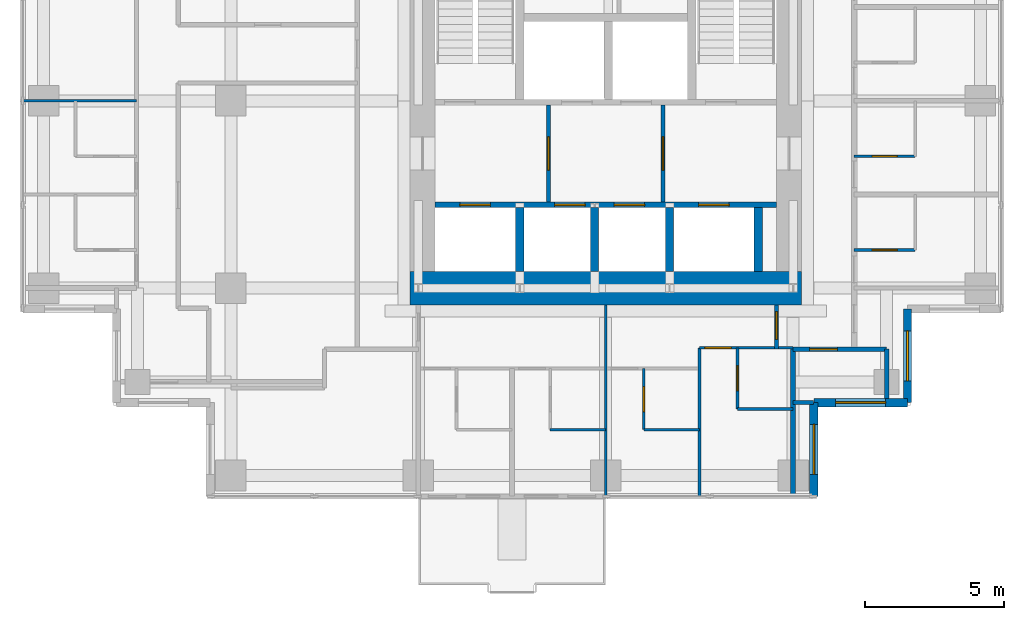
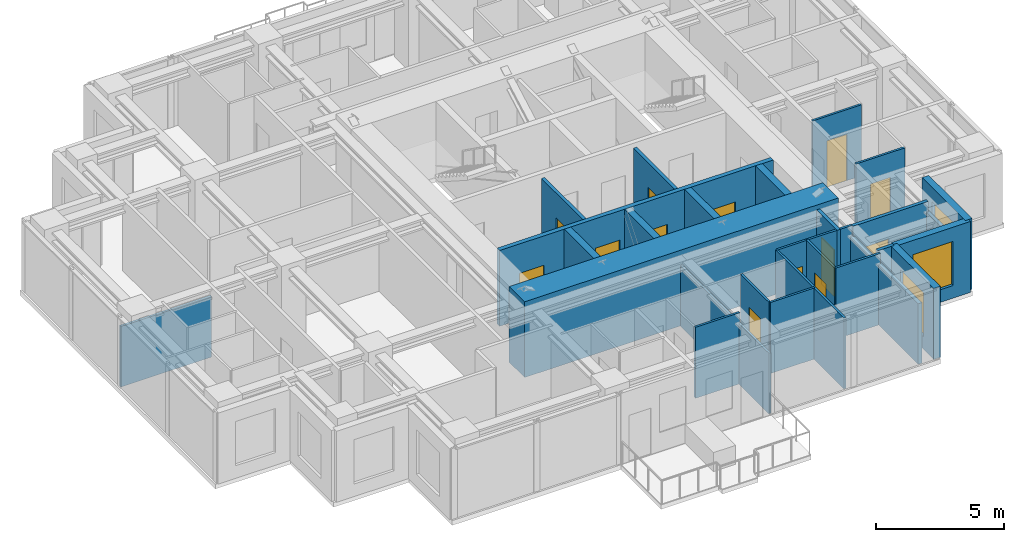
# One storey, part 4 of 8: 27 walls, 13 doors, 3 windows, 16 openings.
"""IFC4 building model written with IfcOpenShell, lengths in metres."""

import ifcopenshell
import ifcopenshell.guid

model = None  # the IFC model being written
_history = None  # IfcOwnerHistory: only IFC2X3 demands one
_inside = {}  # id of a spatial element -> (the spatial element, [elements in it])
_under = {}  # id of a project, library or spatial element -> (it, [spatial elements below it])
_declared = {}  # id of a project -> (the project, [libraries it declares])
_typed = {}  # id of a type object -> (the type object, [elements of that type])
_made_of = {}  # id of a material, layer set ... -> (it, [elements and type objects made of it])


def new_model(schema):
    """Start an empty IFC model of exactly this schema.

    Asked for "IFC4X3", IfcOpenShell would pick the latest addendum, in which some entities
    have other attributes; the version numbers below select the first issue.
    IFC2X3 requires an IfcOwnerHistory on every rooted entity: one is made here for all.
    """
    global model, _history
    if schema == "IFC4X3":
        model = ifcopenshell.file(schema_version=(4, 3, 0, 0))
    else:
        model = ifcopenshell.file(schema=schema)
    _inside.clear()
    _under.clear()
    _declared.clear()
    _typed.clear()
    _made_of.clear()
    _history = None
    if model.schema == "IFC2X3":
        org = make("IfcOrganization", Name="unknown")
        user = make(
            "IfcPersonAndOrganization",
            ThePerson=make("IfcPerson", FamilyName="unknown"),
            TheOrganization=org,
        )
        app = make(
            "IfcApplication",
            ApplicationDeveloper=org,
            Version="unknown",
            ApplicationFullName="unknown",
            ApplicationIdentifier="unknown",
        )
        _history = make(
            "IfcOwnerHistory",
            OwningUser=user,
            OwningApplication=app,
            ChangeAction="ADDED",
            CreationDate=0,
        )
    return model


def make(cls, **values):
    """One entity of the class cls with the attributes given. An attribute that is None is left unset."""
    return model.create_entity(
        cls, **{name: value for name, value in values.items() if value is not None}
    )


def rooted(cls, **values):
    """An entity with a GlobalId (a new one), such as an element, a storey or a relation."""
    return make(cls, GlobalId=ifcopenshell.guid.new(), OwnerHistory=_history, **values)


def si_unit(unit_type, name, prefix=None):
    """IfcSIUnit, for example si_unit("LENGTHUNIT", "METRE", prefix="MILLI")."""
    return make("IfcSIUnit", UnitType=unit_type, Prefix=prefix, Name=name)


def assignment(units):
    """IfcUnitAssignment: the units of a project."""
    return None if units is None else make("IfcUnitAssignment", Units=units)


def point(xyz):
    """IfcCartesianPoint."""
    return None if xyz is None else make("IfcCartesianPoint", Coordinates=xyz)


def direction(xyz):
    """IfcDirection."""
    return None if xyz is None else make("IfcDirection", DirectionRatios=xyz)


def frame(location, z_axis=None, x_axis=None):
    """IfcAxis2Placement3D, a coordinate frame: its origin and axes. An axis left out is left unset."""
    return make(
        "IfcAxis2Placement3D",
        Location=point(location),
        Axis=direction(z_axis),
        RefDirection=direction(x_axis),
    )


def frame_2d(location, x_axis=None):
    """IfcAxis2Placement2D, a coordinate frame in the plane: its origin and x axis."""
    return make(
        "IfcAxis2Placement2D", Location=point(location), RefDirection=direction(x_axis)
    )


def origin():
    """The frame at (0, 0, 0) with its axes left unset."""
    return frame((0.0, 0.0, 0.0))


def place(relative_to, where):
    """IfcLocalPlacement: puts the frame where relative to a parent placement (None: the world)."""
    return make(
        "IfcLocalPlacement", PlacementRelTo=relative_to, RelativePlacement=where
    )


def context(
    kind, dimensions, precision=None, world=None, true_north=None, identifier=None
):
    """IfcGeometricRepresentationContext, for example the 3D "Model" context."""
    return make(
        "IfcGeometricRepresentationContext",
        ContextIdentifier=identifier,
        ContextType=kind,
        CoordinateSpaceDimension=dimensions,
        Precision=precision,
        WorldCoordinateSystem=world,
        TrueNorth=true_north,
    )


def subcontext(parent, identifier, kind, view, scale=None):
    """IfcGeometricRepresentationSubContext, for example "Body" below "Model"."""
    return make(
        "IfcGeometricRepresentationSubContext",
        ContextIdentifier=identifier,
        ContextType=kind,
        ParentContext=parent,
        TargetScale=scale,
        TargetView=view,
    )


def project(units=None, contexts=None):
    """IfcProject with its units and contexts."""
    return rooted(
        "IfcProject",
        Name="project",
        RepresentationContexts=contexts,
        UnitsInContext=assignment(units),
    )


def spatial(cls, under=None, at=None, **own):
    """A site, building, storey or space (cls), placed at a placement, below another one or the project."""
    s = rooted(cls, ObjectPlacement=at, **own)
    if under is not None:
        _under.setdefault(under.id(), (under, []))[1].append(s)
    return s


def profile(cls, at=None, kind="AREA", **sizes):
    """A parametric profile (cls). Its sizes go by their IFC names, for example OverallWidth=200.0."""
    return make(cls, ProfileType=kind, Position=at, **sizes)


def rectangle(**sizes):
    """IfcRectangleProfileDef."""
    return profile("IfcRectangleProfileDef", **sizes)


def extrude(swept, where, along, depth):
    """IfcExtrudedAreaSolid: the profile swept, set in the frame where, extruded along a direction by depth."""
    return make(
        "IfcExtrudedAreaSolid",
        SweptArea=swept,
        Position=where,
        ExtrudedDirection=direction(along),
        Depth=depth,
    )


def shape(context_of_items, identifier, shape_type, items):
    """IfcShapeRepresentation: the items that make up one representation, for example the "Body"."""
    return make(
        "IfcShapeRepresentation",
        ContextOfItems=context_of_items,
        RepresentationIdentifier=identifier,
        RepresentationType=shape_type,
        Items=items,
    )


def material(Name=None, Category=None):
    """IfcMaterial."""
    return make("IfcMaterial", Name=Name, Category=Category)


def layer(
    of_material, thickness, ventilated=None, Name=None, Category=None, Priority=None
):
    """IfcMaterialLayer: one layer of a wall or slab, of a material (None: an air gap)."""
    return make(
        "IfcMaterialLayer",
        Material=of_material,
        LayerThickness=thickness,
        IsVentilated=ventilated,
        Name=Name,
        Category=Category,
        Priority=Priority,
    )


def layer_set(layers, Name=None):
    """IfcMaterialLayerSet."""
    return make("IfcMaterialLayerSet", MaterialLayers=layers, LayerSetName=Name)


def made_of(thing, what):
    """Note that an element or type object is made of a material, layer set ...; save() writes the relation."""
    if what is not None:
        _made_of.setdefault(what.id(), (what, []))[1].append(thing)
    return thing


def type_object(cls, material=None, **own):
    """A type object (cls), such as IfcWallType, which elements share."""
    return made_of(rooted(cls, **own), material)


def element(
    cls,
    number,
    at=None,
    inside=None,
    cuts=None,
    type_object=None,
    material=None,
    context=None,
    identifier="Body",
    shape_type=None,
    held_by="IfcProductDefinitionShape",
    body=None,
    shapes=None,
    **own,
):
    """One element of the class cls, such as IfcWall. Its Tag is "e" and its number.

    at: its placement. inside: the storey or other place that contains it. cuts: it is an
    opening in that element (IfcRelVoidsElement). A single representation is given by context,
    identifier, shape_type and body (its items); several are given by shapes. held_by: the class
    of the entity that holds the representations. save() writes the other relations.
    """
    e = rooted(cls, Tag="e%d" % number, ObjectPlacement=at, **own)
    if body is not None:
        shapes = [shape(context, identifier, shape_type, body)]
    if shapes is not None:
        e.Representation = make(held_by, Representations=shapes)
    if inside is not None:
        _inside.setdefault(inside.id(), (inside, []))[1].append(e)
    if cuts is not None:
        rooted(
            "IfcRelVoidsElement", RelatingBuildingElement=cuts, RelatedOpeningElement=e
        )
    if type_object is not None:
        _typed.setdefault(type_object.id(), (type_object, []))[1].append(e)
    return made_of(e, material)


def fill(opening, filler):
    """IfcRelFillsElement: the door or window that sits in an opening."""
    return rooted(
        "IfcRelFillsElement",
        RelatingOpeningElement=opening,
        RelatedBuildingElement=filler,
    )


def aggregate(whole, parts):
    """IfcRelAggregates: a whole, such as a stair, and the parts it consists of."""
    return rooted("IfcRelAggregates", RelatingObject=whole, RelatedObjects=parts)


def save(model, path):
    """Write the relations noted so far, then the file.

    IfcRelAggregates (storeys below a building ...), IfcRelContainedInSpatialStructure (elements
    in a storey), IfcRelDefinesByType, IfcRelAssociatesMaterial and IfcRelDeclares: one each for
    every whole, place, type object, material and project.
    """
    for whole, parts in _under.values():
        aggregate(whole, parts)
    for where, things in _inside.values():
        rooted(
            "IfcRelContainedInSpatialStructure",
            RelatedElements=things,
            RelatingStructure=where,
        )
    for kind, things in _typed.values():
        rooted("IfcRelDefinesByType", RelatedObjects=things, RelatingType=kind)
    for what, things in _made_of.values():
        rooted("IfcRelAssociatesMaterial", RelatedObjects=things, RelatingMaterial=what)
    for by, libraries in _declared.values():
        rooted("IfcRelDeclares", RelatingContext=by, RelatedDefinitions=libraries)
    model.write(path)


model = new_model("IFC4")

# Units and contexts
model_context = context("Model", 3, precision=1e-05, world=origin(), true_north=direction((0.0, 1.0)))
body_context = subcontext(model_context, "Body", "Model", "MODEL_VIEW")
ifc_project = project(units=[si_unit("LENGTHUNIT", "METRE"), si_unit("AREAUNIT", "SQUARE_METRE"), si_unit("VOLUMEUNIT", "CUBIC_METRE"), si_unit("PLANEANGLEUNIT", "RADIAN"), si_unit("MASSUNIT", "GRAM", prefix="KILO")], contexts=[model_context])

# Site, building, storey
site_placement = place(None, origin())
site = spatial("IfcSite", under=ifc_project, at=site_placement, CompositionType="ELEMENT")
building_placement = place(site_placement, origin())
building = spatial("IfcBuilding", under=site, at=building_placement, Name="Nyansa Garden Tower", CompositionType="ELEMENT")
storey_placement = place(building_placement, frame((0.0, 0.0, 225.89990234375)))
storey = spatial("IfcBuildingStorey", under=building, at=storey_placement, Name="L61", CompositionType="ELEMENT", Elevation=225.89990234375)

# Wall
ifc_material_1 = material(Name="Dense blockwork, plastered both sides, 55 dB", Category="masonry")
ifc_layer_1 = layer(ifc_material_1, 0.175048828125)
ifc_layer_set_1 = layer_set([ifc_layer_1], Name="Acoustic party wall PW175")
wall_type_1 = type_object("IfcWallType", Name="Acoustic party wall PW175", PredefinedType="PARTITIONING", material=ifc_layer_set_1)
wall_1_placement = place(storey_placement, frame((27.0, 6.01611328125, 0.0), z_axis=(0.0, 0.0, 1.0), x_axis=(0.0, 1.0, 0.0)))
element("IfcWall", 1, at=wall_1_placement, inside=storey, type_object=wall_type_1, Name="Party wall", PredefinedType="PARTITIONING", context=body_context, shape_type="SweptSolid", body=[
    extrude(rectangle(XDim=5.333984375, YDim=0.175048828125, at=frame_2d((2.6669921875, 0.0))), origin(), (0.0, 0.0, 1.0), 2.877197265625),
])

# Wall, openings, doors
ifc_material_2 = material(Name="Concrete C70/85", Category="concrete")
ifc_layer_2 = layer(ifc_material_2, 0.199951171875)
ifc_layer_set_2 = layer_set([ifc_layer_2], Name="Core inner wall CI200")
wall_type_2 = type_object("IfcWallType", Name="Core inner wall CI200", PredefinedType="SHEAR", material=ifc_layer_set_2)
wall_2_placement = place(storey_placement, frame((14.10009765625, 16.5, 0.0), z_axis=(0.0, 0.0, 1.0), x_axis=(1.0, 0.0, 0.0)))
wall_2 = element("IfcWall", 2, at=wall_2_placement, inside=storey, type_object=wall_type_2, Name="Core inner wall L61", PredefinedType="SHEAR", context=body_context, shape_type="SweptSolid", body=[
    extrude(rectangle(XDim=12.2998046875, YDim=0.199951171875, at=frame_2d((6.14990234375, 0.0))), origin(), (0.0, 0.0, 1.0), 3.60009765625),
])
opening_1_placement = place(wall_2_placement, frame((0.89990234375, 0.0, 0.0)))
opening_1 = element("IfcOpeningElement", 3, at=opening_1_placement, cuts=wall_2, Name="Opening LD-F", PredefinedType="OPENING", context=body_context, shape_type="SweptSolid", body=[
    extrude(rectangle(XDim=1.10009765625, YDim=2.199951171875, at=frame_2d((0.550048828125, 1.10009765625))), frame((0.0, 0.10986328125, 0.0), z_axis=(0.0, -1.0, 0.0), x_axis=(1.0, 0.0, 0.0)), (0.0, 0.0, 1.0), 0.219970703125),
])
opening_2_placement = place(wall_2_placement, frame((4.31005859375, 0.0, 0.0)))
opening_2 = element("IfcOpeningElement", 4, at=opening_2_placement, cuts=wall_2, Name="Opening LD-B", PredefinedType="OPENING", context=body_context, shape_type="SweptSolid", body=[
    extrude(rectangle(XDim=1.10009765625, YDim=2.199951171875, at=frame_2d((0.550048828125, 1.10009765625))), frame((0.0, 0.10986328125, 0.0), z_axis=(0.0, -1.0, 0.0), x_axis=(1.0, 0.0, 0.0)), (0.0, 0.0, 1.0), 0.219970703125),
])
opening_3_placement = place(wall_2_placement, frame((6.449951171875, 0.0, 0.0)))
opening_3 = element("IfcOpeningElement", 5, at=opening_3_placement, cuts=wall_2, Name="Opening LD-B", PredefinedType="OPENING", context=body_context, shape_type="SweptSolid", body=[
    extrude(rectangle(XDim=1.10009765625, YDim=2.199951171875, at=frame_2d((0.550048828125, 1.10009765625))), frame((0.0, 0.10986328125, 0.0), z_axis=(0.0, -1.0, 0.0), x_axis=(1.0, 0.0, 0.0)), (0.0, 0.0, 1.0), 0.219970703125),
])
opening_4_placement = place(wall_2_placement, frame((9.5, 0.0, 0.0)))
opening_4 = element("IfcOpeningElement", 6, at=opening_4_placement, cuts=wall_2, Name="Opening LD-F", PredefinedType="OPENING", context=body_context, shape_type="SweptSolid", body=[
    extrude(rectangle(XDim=1.10009765625, YDim=2.199951171875, at=frame_2d((0.550048828125, 1.10009765625))), frame((0.0, 0.10986328125, 0.0), z_axis=(0.0, -1.0, 0.0), x_axis=(1.0, 0.0, 0.0)), (0.0, 0.0, 1.0), 0.219970703125),
])
ifc_material_3 = material(Name="Stainless steel centre-opening landing door of the high-rise lift, E 120", Category="steel")
door_type_1 = type_object("IfcDoorType", Name="Lift landing door LD-B 1100x2200", OperationType="DOUBLE_DOOR_SLIDING", PredefinedType="DOOR", material=ifc_material_3)
door_1_placement = place(opening_2_placement, origin())
door_1 = element("IfcDoor", 7, at=door_1_placement, inside=storey, type_object=door_type_1, Name="Landing door B1", OperationType="DOUBLE_DOOR_SLIDING", OverallHeight=2.199951171875, OverallWidth=1.10009765625, PredefinedType="DOOR", context=body_context, shape_type="SweptSolid", body=[
    extrude(rectangle(XDim=1.10009765625, YDim=2.199951171875, at=frame_2d((0.550048828125, 1.10009765625))), frame((0.0, 0.02490234375, 0.0), z_axis=(0.0, -1.0, 0.0), x_axis=(1.0, 0.0, 0.0)), (0.0, 0.0, 1.0), 0.050048828125),
])
fill(opening_2, door_1)
door_2_placement = place(opening_3_placement, origin())
door_2 = element("IfcDoor", 8, at=door_2_placement, inside=storey, type_object=door_type_1, Name="Landing door B2", OperationType="DOUBLE_DOOR_SLIDING", OverallHeight=2.199951171875, OverallWidth=1.10009765625, PredefinedType="DOOR", context=body_context, shape_type="SweptSolid", body=[
    extrude(rectangle(XDim=1.10009765625, YDim=2.199951171875, at=frame_2d((0.550048828125, 1.10009765625))), frame((0.0, 0.02490234375, 0.0), z_axis=(0.0, -1.0, 0.0), x_axis=(1.0, 0.0, 0.0)), (0.0, 0.0, 1.0), 0.050048828125),
])
fill(opening_3, door_2)
ifc_material_4 = material(Name="Stainless steel centre-opening landing door of the firefighting lift, EN 81-72, E 120", Category="steel")
door_type_2 = type_object("IfcDoorType", Name="Lift landing door LD-F 1100x2200", OperationType="DOUBLE_DOOR_SLIDING", PredefinedType="DOOR", material=ifc_material_4)
door_3_placement = place(opening_1_placement, origin())
door_3 = element("IfcDoor", 9, at=door_3_placement, inside=storey, type_object=door_type_2, Name="Landing door FF1", OperationType="DOUBLE_DOOR_SLIDING", OverallHeight=2.199951171875, OverallWidth=1.10009765625, PredefinedType="DOOR", context=body_context, shape_type="SweptSolid", body=[
    extrude(rectangle(XDim=1.10009765625, YDim=2.199951171875, at=frame_2d((0.550048828125, 1.10009765625))), frame((0.0, 0.02490234375, 0.0), z_axis=(0.0, -1.0, 0.0), x_axis=(1.0, 0.0, 0.0)), (0.0, 0.0, 1.0), 0.050048828125),
])
fill(opening_1, door_3)
door_4_placement = place(opening_4_placement, origin())
door_4 = element("IfcDoor", 10, at=door_4_placement, inside=storey, type_object=door_type_2, Name="Landing door FF2", OperationType="DOUBLE_DOOR_SLIDING", OverallHeight=2.199951171875, OverallWidth=1.10009765625, PredefinedType="DOOR", context=body_context, shape_type="SweptSolid", body=[
    extrude(rectangle(XDim=1.10009765625, YDim=2.199951171875, at=frame_2d((0.550048828125, 1.10009765625))), frame((0.0, 0.02490234375, 0.0), z_axis=(0.0, -1.0, 0.0), x_axis=(1.0, 0.0, 0.0)), (0.0, 0.0, 1.0), 0.050048828125),
])
fill(opening_4, door_4)

# Walls
ifc_material_5 = material(Name="Concrete C70/85", Category="concrete")
ifc_layer_3 = layer(ifc_material_5, 0.300048828125)
ifc_layer_set_3 = layer_set([ifc_layer_3], Name="Core inner wall CI300")
wall_type_3 = type_object("IfcWallType", Name="Core inner wall CI300", PredefinedType="SHEAR", material=ifc_layer_set_3)
for number, where, z_axis, x_axis, name in (
    (11, (17.14990234375, 14.10009765625, 0.0), (0.0, 0.0, 1.0), (0.0, 1.0, 0.0), "Core inner wall L61"),
    (12, (19.85009765625, 14.10009765625, 0.0), (0.0, 0.0, 1.0), (0.0, 1.0, 0.0), "Core inner wall L61"),
    (13, (22.550048828125, 14.10009765625, 0.0), (0.0, 0.0, 1.0), (0.0, 1.0, 0.0), "Core inner wall L61"),
    (14, (25.75, 14.10009765625, 0.0), (0.0, 0.0, 1.0), (0.0, 1.0, 0.0), "Core inner wall L61"),
):
    element("IfcWall", number, at=place(storey_placement, frame(where, z_axis=z_axis, x_axis=x_axis)), inside=storey, type_object=wall_type_3, Name=name, PredefinedType="SHEAR", context=body_context, shape_type="SweptSolid", body=[
        extrude(rectangle(XDim=2.2998046875, YDim=0.300048828125, at=frame_2d((1.14990234375, 0.0))), origin(), (0.0, 0.0, 1.0), 3.60009765625),
    ])
ifc_material_6 = material(Name="Concrete C80/95", Category="concrete")
ifc_layer_4 = layer(ifc_material_6, 1.199951171875)
ifc_layer_set_4 = layer_set([ifc_layer_4], Name="Core wall CW1200")
wall_type_4 = type_object("IfcWallType", Name="Core wall CW1200", PredefinedType="SHEAR", material=ifc_layer_set_4)
wall_3_placement = place(storey_placement, frame((13.199951171875, 13.5, 0.0), z_axis=(0.0, 0.0, 1.0), x_axis=(1.0, 0.0, 0.0)))
element("IfcWall", 15, at=wall_3_placement, inside=storey, type_object=wall_type_4, Name="Core wall S L61", PredefinedType="SHEAR", context=body_context, shape_type="SweptSolid", body=[
    extrude(rectangle(XDim=14.10009765625, YDim=1.199951171875, at=frame_2d((7.050048828125, 0.0))), origin(), (0.0, 0.0, 1.0), 3.60009765625),
])

# Wall, opening, door
ifc_material_7 = material(Name="Blockwork, plastered both sides", Category="masonry")
ifc_layer_5 = layer(ifc_material_7, 0.14990234375)
ifc_layer_set_5 = layer_set([ifc_layer_5], Name="Partition PW150")
wall_type_5 = type_object("IfcWallType", Name="Partition PW150", PredefinedType="PARTITIONING", material=ifc_layer_set_5)
wall_4_placement = place(storey_placement, frame((18.18505859375, 16.60009765625, 0.0), z_axis=(0.0, 0.0, 1.0), x_axis=(0.0, 1.0, 0.0)))
wall_4 = element("IfcWall", 16, at=wall_4_placement, inside=storey, type_object=wall_type_5, Name="Partition", PredefinedType="PARTITIONING", context=body_context, shape_type="SweptSolid", body=[
    extrude(rectangle(XDim=3.5, YDim=0.14990234375, at=frame_2d((1.75, 0.0))), origin(), (0.0, 0.0, 1.0), 3.375),
])
opening_5_placement = place(wall_4_placement, frame((1.14990234375, 0.0, 0.0)))
opening_5 = element("IfcOpeningElement", 17, at=opening_5_placement, cuts=wall_4, Name="Opening D06", PredefinedType="OPENING", context=body_context, shape_type="SweptSolid", body=[
    extrude(rectangle(XDim=1.199951171875, YDim=2.199951171875, at=frame_2d((0.60009765625, 1.10009765625))), frame((0.0, 0.0849609375, 0.0), z_axis=(0.0, -1.0, 0.0), x_axis=(1.0, 0.0, 0.0)), (0.0, 0.0, 1.0), 0.169921875),
])
ifc_material_8 = material(Name="Steel door, 120 minute fire resisting", Category="steel")
door_type_3 = type_object("IfcDoorType", Name="Lobby door D06 1200x2200", OperationType="DOUBLE_DOOR_SINGLE_SWING", PredefinedType="DOOR", material=ifc_material_8)
door_5_placement = place(opening_5_placement, origin())
door_5 = element("IfcDoor", 18, at=door_5_placement, inside=storey, type_object=door_type_3, Name="Passenger lift lobby door", OperationType="DOUBLE_DOOR_SINGLE_SWING", OverallHeight=2.199951171875, OverallWidth=1.199951171875, PredefinedType="DOOR", context=body_context, shape_type="SweptSolid", body=[
    extrude(rectangle(XDim=1.199951171875, YDim=2.199951171875, at=frame_2d((0.60009765625, 1.10009765625))), frame((0.0, 0.02490234375, 0.0), z_axis=(0.0, -1.0, 0.0), x_axis=(1.0, 0.0, 0.0)), (0.0, 0.0, 1.0), 0.050048828125),
])
fill(opening_5, door_5)

wall_5_placement = place(storey_placement, frame((22.31494140625, 16.60009765625, 0.0), z_axis=(0.0, 0.0, 1.0), x_axis=(0.0, 1.0, 0.0)))
wall_5 = element("IfcWall", 19, at=wall_5_placement, inside=storey, type_object=wall_type_5, Name="Partition", PredefinedType="PARTITIONING", context=body_context, shape_type="SweptSolid", body=[
    extrude(rectangle(XDim=3.5, YDim=0.14990234375, at=frame_2d((1.75, 0.0))), origin(), (0.0, 0.0, 1.0), 3.375),
])
opening_6_placement = place(wall_5_placement, frame((1.14990234375, 0.0, 0.0)))
opening_6 = element("IfcOpeningElement", 20, at=opening_6_placement, cuts=wall_5, Name="Opening D06", PredefinedType="OPENING", context=body_context, shape_type="SweptSolid", body=[
    extrude(rectangle(XDim=1.199951171875, YDim=2.199951171875, at=frame_2d((0.60009765625, 1.10009765625))), frame((0.0, 0.0849609375, 0.0), z_axis=(0.0, -1.0, 0.0), x_axis=(1.0, 0.0, 0.0)), (0.0, 0.0, 1.0), 0.169921875),
])
door_6_placement = place(opening_6_placement, origin())
door_6 = element("IfcDoor", 21, at=door_6_placement, inside=storey, type_object=door_type_3, Name="Passenger lift lobby door", OperationType="DOUBLE_DOOR_SINGLE_SWING", OverallHeight=2.199951171875, OverallWidth=1.199951171875, PredefinedType="DOOR", context=body_context, shape_type="SweptSolid", body=[
    extrude(rectangle(XDim=1.199951171875, YDim=2.199951171875, at=frame_2d((0.60009765625, 1.10009765625))), frame((0.0, 0.02490234375, 0.0), z_axis=(0.0, -1.0, 0.0), x_axis=(1.0, 0.0, 0.0)), (0.0, 0.0, 1.0), 0.050048828125),
])
fill(opening_6, door_6)

wall_6_placement = place(storey_placement, frame((26.39990234375, 11.300048828125, 0.0), z_axis=(0.0, 0.0, 1.0), x_axis=(0.0, 1.0, 0.0)))
wall_6 = element("IfcWall", 22, at=wall_6_placement, inside=storey, type_object=wall_type_5, Name="Partition", PredefinedType="PARTITIONING", context=body_context, shape_type="SweptSolid", body=[
    extrude(rectangle(XDim=1.599853515625, YDim=0.14990234375, at=frame_2d((0.7998046875, 0.0))), origin(), (0.0, 0.0, 1.0), 3.375),
])
opening_7_placement = place(wall_6_placement, frame((0.35009765625, 0.0, 0.0)))
opening_7 = element("IfcOpeningElement", 23, at=opening_7_placement, cuts=wall_6, Name="Opening D03", PredefinedType="OPENING", context=body_context, shape_type="SweptSolid", body=[
    extrude(rectangle(XDim=1.0, YDim=2.199951171875, at=frame_2d((0.5, 1.10009765625))), frame((0.0, 0.0849609375, 0.0), z_axis=(0.0, -1.0, 0.0), x_axis=(1.0, 0.0, 0.0)), (0.0, 0.0, 1.0), 0.169921875),
])
ifc_material_9 = material(Name="Timber flush door, 60 minute fire resisting", Category="wood")
door_type_4 = type_object("IfcDoorType", Name="Cluster entrance door D03 1000x2200", OperationType="SINGLE_SWING_LEFT", PredefinedType="DOOR", material=ifc_material_9)
door_7_placement = place(opening_7_placement, origin())
door_7 = element("IfcDoor", 24, at=door_7_placement, inside=storey, type_object=door_type_4, Name="Door L61-028", OperationType="SINGLE_SWING_LEFT", OverallHeight=2.199951171875, OverallWidth=1.0, PredefinedType="DOOR", context=body_context, shape_type="SweptSolid", body=[
    extrude(rectangle(XDim=1.0, YDim=2.199951171875, at=frame_2d((0.5, 1.10009765625))), frame((0.0, 0.02490234375, 0.0), z_axis=(0.0, -1.0, 0.0), x_axis=(1.0, 0.0, 0.0)), (0.0, 0.0, 1.0), 0.050048828125),
])
fill(opening_7, door_7)

wall_7_placement = place(storey_placement, frame((27.0, 11.300048828125, 0.0), z_axis=(0.0, 0.0, 1.0), x_axis=(1.0, 0.0, 0.0)))
wall_7 = element("IfcWall", 25, at=wall_7_placement, inside=storey, type_object=wall_type_5, Name="Partition", PredefinedType="PARTITIONING", context=body_context, shape_type="SweptSolid", body=[
    extrude(rectangle(XDim=3.375, YDim=0.14990234375, at=frame_2d((1.6875, 0.0))), origin(), (0.0, 0.0, 1.0), 3.375),
])
opening_8_placement = place(wall_7_placement, frame((0.60009765625, 0.0, 0.0)))
opening_8 = element("IfcOpeningElement", 26, at=opening_8_placement, cuts=wall_7, Name="Opening D03", PredefinedType="OPENING", context=body_context, shape_type="SweptSolid", body=[
    extrude(rectangle(XDim=1.0, YDim=2.199951171875, at=frame_2d((0.5, 1.10009765625))), frame((0.0, 0.0849609375, 0.0), z_axis=(0.0, -1.0, 0.0), x_axis=(1.0, 0.0, 0.0)), (0.0, 0.0, 1.0), 0.169921875),
])
door_8_placement = place(opening_8_placement, origin())
door_8 = element("IfcDoor", 27, at=door_8_placement, inside=storey, type_object=door_type_4, Name="Door L61-027", OperationType="SINGLE_SWING_LEFT", OverallHeight=2.199951171875, OverallWidth=1.0, PredefinedType="DOOR", context=body_context, shape_type="SweptSolid", body=[
    extrude(rectangle(XDim=1.0, YDim=2.199951171875, at=frame_2d((0.5, 1.10009765625))), frame((0.0, 0.02490234375, 0.0), z_axis=(0.0, -1.0, 0.0), x_axis=(1.0, 0.0, 0.0)), (0.0, 0.0, 1.0), 0.050048828125),
])
fill(opening_8, door_8)

# Walls
wall_8_placement = place(storey_placement, frame((27.0, 9.375, 0.0), z_axis=(0.0, 0.0, 1.0), x_axis=(1.0, 0.0, 0.0)))
element("IfcWall", 28, at=wall_8_placement, inside=storey, type_object=wall_type_5, Name="Partition", PredefinedType="PARTITIONING", context=body_context, shape_type="SweptSolid", body=[
    extrude(rectangle(XDim=0.73388671875, YDim=0.14990234375, at=frame_2d((0.366943359375, 0.0))), origin(), (0.0, 0.0, 1.0), 3.375),
])
wall_9_placement = place(storey_placement, frame((30.375, 9.52490234375, 0.0), z_axis=(0.0, 0.0, 1.0), x_axis=(0.0, 1.0, 0.0)))
element("IfcWall", 29, at=wall_9_placement, inside=storey, type_object=wall_type_5, Name="Partition", PredefinedType="PARTITIONING", context=body_context, shape_type="SweptSolid", body=[
    extrude(rectangle(XDim=1.775146484375, YDim=0.14990234375, at=frame_2d((0.8876953125, 0.0))), origin(), (0.0, 0.0, 1.0), 2.877197265625),
])

# Wall, opening, window
ifc_material_10 = material(Name="Turquoise glazed tile on concrete blockwork", Category="masonry")
ifc_layer_6 = layer(ifc_material_10, 0.300048828125)
ifc_layer_set_6 = layer_set([ifc_layer_6], Name="Tiled corner wall TW300")
wall_type_6 = type_object("IfcWallType", Name="Tiled corner wall TW300", PredefinedType="SOLIDWALL", material=ifc_layer_set_6)
wall_10_placement = place(storey_placement, frame((27.75, 6.0, 0.0), z_axis=(0.0, 0.0, 1.0), x_axis=(0.0, 1.0, 0.0)))
wall_10 = element("IfcWall", 30, at=wall_10_placement, inside=storey, type_object=wall_type_6, Name="Tiled corner wall L61", PredefinedType="SOLIDWALL", context=body_context, shape_type="SweptSolid", body=[
    extrude(rectangle(XDim=3.375, YDim=0.300048828125, at=frame_2d((1.6875, 0.0))), origin(), (0.0, 0.0, 1.0), 3.375),
])
opening_9_placement = place(wall_10_placement, frame((0.78759765625, 0.0, 0.60009765625)))
opening_9 = element("IfcOpeningElement", 31, at=opening_9_placement, cuts=wall_10, Name="Opening W2", PredefinedType="OPENING", context=body_context, shape_type="SweptSolid", body=[
    extrude(rectangle(XDim=1.800048828125, YDim=2.10009765625, at=frame_2d((0.89990234375, 1.050048828125))), frame((0.0, 0.159912109375, 0.0), z_axis=(0.0, -1.0, 0.0), x_axis=(1.0, 0.0, 0.0)), (0.0, 0.0, 1.0), 0.320068359375),
])
ifc_material_11 = material(Name="Black aluminium frame, dark tinted double glazing", Category="aluminium")
window_type = type_object("IfcWindowType", Name="Window W2 1800x2100", PartitioningType="SINGLE_PANEL", PredefinedType="WINDOW", material=ifc_material_11)
window_1_placement = place(opening_9_placement, origin())
window_1 = element("IfcWindow", 32, at=window_1_placement, inside=storey, type_object=window_type, Name="Corner window L61", OverallHeight=2.10009765625, OverallWidth=1.800048828125, PartitioningType="SINGLE_PANEL", PredefinedType="WINDOW", context=body_context, shape_type="SweptSolid", body=[
    extrude(rectangle(XDim=1.800048828125, YDim=2.10009765625, at=frame_2d((0.89990234375, 1.050048828125))), frame((0.0, 0.030029296875, 0.0), z_axis=(0.0, -1.0, 0.0), x_axis=(1.0, 0.0, 0.0)), (0.0, 0.0, 1.0), 0.06005859375),
])
fill(opening_9, window_1)

wall_11_placement = place(storey_placement, frame((27.75, 9.375, 0.0), z_axis=(0.0, 0.0, 1.0), x_axis=(1.0, 0.0, 0.0)))
wall_11 = element("IfcWall", 33, at=wall_11_placement, inside=storey, type_object=wall_type_6, Name="Tiled corner wall L61", PredefinedType="SOLIDWALL", context=body_context, shape_type="SweptSolid", body=[
    extrude(rectangle(XDim=3.375, YDim=0.300048828125, at=frame_2d((1.6875, 0.0))), origin(), (0.0, 0.0, 1.0), 3.375),
])
opening_10_placement = place(wall_11_placement, frame((0.78759765625, 0.0, 0.60009765625)))
opening_10 = element("IfcOpeningElement", 34, at=opening_10_placement, cuts=wall_11, Name="Opening W2", PredefinedType="OPENING", context=body_context, shape_type="SweptSolid", body=[
    extrude(rectangle(XDim=1.800048828125, YDim=2.10009765625, at=frame_2d((0.89990234375, 1.050048828125))), frame((0.0, 0.159912109375, 0.0), z_axis=(0.0, -1.0, 0.0), x_axis=(1.0, 0.0, 0.0)), (0.0, 0.0, 1.0), 0.320068359375),
])
window_2_placement = place(opening_10_placement, origin())
window_2 = element("IfcWindow", 35, at=window_2_placement, inside=storey, type_object=window_type, Name="Corner window L61", OverallHeight=2.10009765625, OverallWidth=1.800048828125, PartitioningType="SINGLE_PANEL", PredefinedType="WINDOW", context=body_context, shape_type="SweptSolid", body=[
    extrude(rectangle(XDim=1.800048828125, YDim=2.10009765625, at=frame_2d((0.89990234375, 1.050048828125))), frame((0.0, 0.030029296875, 0.0), z_axis=(0.0, -1.0, 0.0), x_axis=(1.0, 0.0, 0.0)), (0.0, 0.0, 1.0), 0.06005859375),
])
fill(opening_10, window_2)

wall_12_placement = place(storey_placement, frame((31.125, 9.375, 0.0), z_axis=(0.0, 0.0, 1.0), x_axis=(0.0, 1.0, 0.0)))
wall_12 = element("IfcWall", 36, at=wall_12_placement, inside=storey, type_object=wall_type_6, Name="Tiled corner wall L61", PredefinedType="SOLIDWALL", context=body_context, shape_type="SweptSolid", body=[
    extrude(rectangle(XDim=3.375, YDim=0.300048828125, at=frame_2d((1.6875, 0.0))), origin(), (0.0, 0.0, 1.0), 3.375),
])
opening_11_placement = place(wall_12_placement, frame((0.78759765625, 0.0, 0.60009765625)))
opening_11 = element("IfcOpeningElement", 37, at=opening_11_placement, cuts=wall_12, Name="Opening W2", PredefinedType="OPENING", context=body_context, shape_type="SweptSolid", body=[
    extrude(rectangle(XDim=1.800048828125, YDim=2.10009765625, at=frame_2d((0.89990234375, 1.050048828125))), frame((0.0, 0.159912109375, 0.0), z_axis=(0.0, -1.0, 0.0), x_axis=(1.0, 0.0, 0.0)), (0.0, 0.0, 1.0), 0.320068359375),
])
window_3_placement = place(opening_11_placement, origin())
window_3 = element("IfcWindow", 38, at=window_3_placement, inside=storey, type_object=window_type, Name="Corner window L61", OverallHeight=2.10009765625, OverallWidth=1.800048828125, PartitioningType="SINGLE_PANEL", PredefinedType="WINDOW", context=body_context, shape_type="SweptSolid", body=[
    extrude(rectangle(XDim=1.800048828125, YDim=2.10009765625, at=frame_2d((0.89990234375, 1.050048828125))), frame((0.0, 0.030029296875, 0.0), z_axis=(0.0, -1.0, 0.0), x_axis=(1.0, 0.0, 0.0)), (0.0, 0.0, 1.0), 0.06005859375),
])
fill(opening_11, window_3)

# Walls
ifc_material_12 = material(Name="Moisture resistant board on steel studs, tiled", Category="steel")
ifc_layer_7 = layer(ifc_material_12, 0.10009765625)
ifc_layer_set_7 = layer_set([ifc_layer_7], Name="Wet wall PW100")
wall_type_7 = type_object("IfcWallType", Name="Wet wall PW100", PredefinedType="PARTITIONING", material=ifc_layer_set_7)
wall_13_placement = place(storey_placement, frame((-0.73388671875, 20.25, 0.0), z_axis=(0.0, 0.0, 1.0), x_axis=(1.0, 0.0, 0.0)))
element("IfcWall", 39, at=wall_13_placement, inside=storey, type_object=wall_type_7, Name="Wet wall", PredefinedType="PARTITIONING", context=body_context, shape_type="SweptSolid", body=[
    extrude(rectangle(XDim=4.083984375, YDim=0.10009765625, at=frame_2d((2.0419921875, 0.0))), origin(), (0.0, 0.0, 1.0), 2.877197265625),
])
wall_14_placement = place(storey_placement, frame((18.25, 8.39990234375, 0.0), z_axis=(0.0, 0.0, 1.0), x_axis=(1.0, 0.0, 0.0)))
element("IfcWall", 40, at=wall_14_placement, inside=storey, type_object=wall_type_7, Name="Wet wall", PredefinedType="PARTITIONING", context=body_context, shape_type="SweptSolid", body=[
    extrude(rectangle(XDim=2.0, YDim=0.10009765625, at=frame_2d((1.0, 0.0))), origin(), (0.0, 0.0, 1.0), 3.375),
])
wall_15_placement = place(storey_placement, frame((20.25, 6.01611328125, 0.0), z_axis=(0.0, 0.0, 1.0), x_axis=(0.0, 1.0, 0.0)))
element("IfcWall", 41, at=wall_15_placement, inside=storey, type_object=wall_type_7, Name="Wet wall", PredefinedType="PARTITIONING", context=body_context, shape_type="SweptSolid", body=[
    extrude(rectangle(XDim=6.8837890625, YDim=0.10009765625, at=frame_2d((3.44189453125, 0.0))), origin(), (0.0, 0.0, 1.0), 2.877197265625),
])

# Wall, opening, door
wall_16_placement = place(storey_placement, frame((21.625, 8.39990234375, 0.0), z_axis=(0.0, 0.0, 1.0), x_axis=(0.0, 1.0, 0.0)))
wall_16 = element("IfcWall", 42, at=wall_16_placement, inside=storey, type_object=wall_type_7, Name="Wet wall", PredefinedType="PARTITIONING", context=body_context, shape_type="SweptSolid", body=[
    extrude(rectangle(XDim=2.2001953125, YDim=0.10009765625, at=frame_2d((1.10009765625, 0.0))), origin(), (0.0, 0.0, 1.0), 3.375),
])
opening_12_placement = place(wall_16_placement, frame((0.64990234375, 0.0, 0.0)))
opening_12 = element("IfcOpeningElement", 43, at=opening_12_placement, cuts=wall_16, Name="Opening D02", PredefinedType="OPENING", context=body_context, shape_type="SweptSolid", body=[
    extrude(rectangle(XDim=0.89990234375, YDim=2.199951171875, at=frame_2d((0.449951171875, 1.10009765625))), frame((0.0, 0.06005859375, 0.0), z_axis=(0.0, -1.0, 0.0), x_axis=(1.0, 0.0, 0.0)), (0.0, 0.0, 1.0), 0.1201171875),
])
ifc_material_13 = material(Name="Timber flush door", Category="wood")
door_type_5 = type_object("IfcDoorType", Name="En-suite door D02 900x2200", OperationType="SINGLE_SWING_RIGHT", PredefinedType="DOOR", material=ifc_material_13)
door_9_placement = place(opening_12_placement, origin())
door_9 = element("IfcDoor", 44, at=door_9_placement, inside=storey, type_object=door_type_5, Name="Door L61-024", OperationType="SINGLE_SWING_RIGHT", OverallHeight=2.199951171875, OverallWidth=0.89990234375, PredefinedType="DOOR", context=body_context, shape_type="SweptSolid", body=[
    extrude(rectangle(XDim=0.89990234375, YDim=2.199951171875, at=frame_2d((0.449951171875, 1.10009765625))), frame((0.0, 0.02490234375, 0.0), z_axis=(0.0, -1.0, 0.0), x_axis=(1.0, 0.0, 0.0)), (0.0, 0.0, 1.0), 0.050048828125),
])
fill(opening_12, door_9)

# Walls
wall_17_placement = place(storey_placement, frame((21.625, 8.39990234375, 0.0), z_axis=(0.0, 0.0, 1.0), x_axis=(1.0, 0.0, 0.0)))
element("IfcWall", 45, at=wall_17_placement, inside=storey, type_object=wall_type_7, Name="Wet wall", PredefinedType="PARTITIONING", context=body_context, shape_type="SweptSolid", body=[
    extrude(rectangle(XDim=2.0, YDim=0.10009765625, at=frame_2d((1.0, 0.0))), origin(), (0.0, 0.0, 1.0), 3.375),
])
wall_18_placement = place(storey_placement, frame((23.625, 6.01611328125, 0.0), z_axis=(0.0, 0.0, 1.0), x_axis=(0.0, 1.0, 0.0)))
element("IfcWall", 46, at=wall_18_placement, inside=storey, type_object=wall_type_7, Name="Wet wall", PredefinedType="PARTITIONING", context=body_context, shape_type="SweptSolid", body=[
    extrude(rectangle(XDim=5.333984375, YDim=0.10009765625, at=frame_2d((2.6669921875, 0.0))), origin(), (0.0, 0.0, 1.0), 3.375),
])

# Wall, opening, door
wall_19_placement = place(storey_placement, frame((23.625, 11.35009765625, 0.0), z_axis=(0.0, 0.0, 1.0), x_axis=(1.0, 0.0, 0.0)))
wall_19 = element("IfcWall", 47, at=wall_19_placement, inside=storey, type_object=wall_type_7, Name="Wet wall", PredefinedType="PARTITIONING", context=body_context, shape_type="SweptSolid", body=[
    extrude(rectangle(XDim=3.375, YDim=0.10009765625, at=frame_2d((1.6875, 0.0))), origin(), (0.0, 0.0, 1.0), 3.375),
])
opening_13_placement = place(wall_19_placement, frame((0.199951171875, 0.0, 0.0)))
opening_13 = element("IfcOpeningElement", 48, at=opening_13_placement, cuts=wall_19, Name="Opening D14", PredefinedType="OPENING", context=body_context, shape_type="SweptSolid", body=[
    extrude(rectangle(XDim=0.949951171875, YDim=2.199951171875, at=frame_2d((0.47509765625, 1.10009765625))), frame((0.0, 0.06005859375, 0.0), z_axis=(0.0, -1.0, 0.0), x_axis=(1.0, 0.0, 0.0)), (0.0, 0.0, 1.0), 0.1201171875),
])
ifc_material_14 = material(Name="Timber flush door, 60 minute fire resisting, self-closing", Category="wood")
door_type_6 = type_object("IfcDoorType", Name="Studio entrance door D14 950x2200", OperationType="SINGLE_SWING_LEFT", PredefinedType="DOOR", material=ifc_material_14)
door_10_placement = place(opening_13_placement, origin())
door_10 = element("IfcDoor", 49, at=door_10_placement, inside=storey, type_object=door_type_6, Name="Door L61-025", OperationType="SINGLE_SWING_LEFT", OverallHeight=2.199951171875, OverallWidth=0.949951171875, PredefinedType="DOOR", context=body_context, shape_type="SweptSolid", body=[
    extrude(rectangle(XDim=0.949951171875, YDim=2.199951171875, at=frame_2d((0.47509765625, 1.10009765625))), frame((0.0, 0.02490234375, 0.0), z_axis=(0.0, -1.0, 0.0), x_axis=(1.0, 0.0, 0.0)), (0.0, 0.0, 1.0), 0.050048828125),
])
fill(opening_13, door_10)

wall_20_placement = place(storey_placement, frame((25.0, 9.14990234375, 0.0), z_axis=(0.0, 0.0, 1.0), x_axis=(0.0, 1.0, 0.0)))
wall_20 = element("IfcWall", 50, at=wall_20_placement, inside=storey, type_object=wall_type_7, Name="Wet wall", PredefinedType="PARTITIONING", context=body_context, shape_type="SweptSolid", body=[
    extrude(rectangle(XDim=2.2001953125, YDim=0.10009765625, at=frame_2d((1.10009765625, 0.0))), origin(), (0.0, 0.0, 1.0), 3.375),
])
opening_14_placement = place(wall_20_placement, frame((0.64990234375, 0.0, 0.0)))
opening_14 = element("IfcOpeningElement", 51, at=opening_14_placement, cuts=wall_20, Name="Opening D02", PredefinedType="OPENING", context=body_context, shape_type="SweptSolid", body=[
    extrude(rectangle(XDim=0.89990234375, YDim=2.199951171875, at=frame_2d((0.449951171875, 1.10009765625))), frame((0.0, 0.06005859375, 0.0), z_axis=(0.0, -1.0, 0.0), x_axis=(1.0, 0.0, 0.0)), (0.0, 0.0, 1.0), 0.1201171875),
])
door_11_placement = place(opening_14_placement, origin())
door_11 = element("IfcDoor", 52, at=door_11_placement, inside=storey, type_object=door_type_5, Name="Door L61-026", OperationType="SINGLE_SWING_RIGHT", OverallHeight=2.199951171875, OverallWidth=0.89990234375, PredefinedType="DOOR", context=body_context, shape_type="SweptSolid", body=[
    extrude(rectangle(XDim=0.89990234375, YDim=2.199951171875, at=frame_2d((0.449951171875, 1.10009765625))), frame((0.0, 0.02490234375, 0.0), z_axis=(0.0, -1.0, 0.0), x_axis=(1.0, 0.0, 0.0)), (0.0, 0.0, 1.0), 0.050048828125),
])
fill(opening_14, door_11)

# Wall
wall_21_placement = place(storey_placement, frame((25.0, 9.14990234375, 0.0), z_axis=(0.0, 0.0, 1.0), x_axis=(1.0, 0.0, 0.0)))
element("IfcWall", 53, at=wall_21_placement, inside=storey, type_object=wall_type_7, Name="Wet wall", PredefinedType="PARTITIONING", context=body_context, shape_type="SweptSolid", body=[
    extrude(rectangle(XDim=2.0, YDim=0.10009765625, at=frame_2d((1.0, 0.0))), origin(), (0.0, 0.0, 1.0), 3.375),
])

# Wall, opening, door
wall_22_placement = place(storey_placement, frame((29.199951171875, 14.875, 0.0), z_axis=(0.0, 0.0, 1.0), x_axis=(1.0, 0.0, 0.0)))
wall_22 = element("IfcWall", 54, at=wall_22_placement, inside=storey, type_object=wall_type_7, Name="Wet wall", PredefinedType="PARTITIONING", context=body_context, shape_type="SweptSolid", body=[
    extrude(rectangle(XDim=2.199951171875, YDim=0.10009765625, at=frame_2d((1.10009765625, 0.0))), origin(), (0.0, 0.0, 1.0), 3.375),
])
opening_15_placement = place(wall_22_placement, frame((0.64990234375, 0.0, 0.0)))
opening_15 = element("IfcOpeningElement", 55, at=opening_15_placement, cuts=wall_22, Name="Opening D02", PredefinedType="OPENING", context=body_context, shape_type="SweptSolid", body=[
    extrude(rectangle(XDim=0.89990234375, YDim=2.199951171875, at=frame_2d((0.449951171875, 1.10009765625))), frame((0.0, 0.06005859375, 0.0), z_axis=(0.0, -1.0, 0.0), x_axis=(1.0, 0.0, 0.0)), (0.0, 0.0, 1.0), 0.1201171875),
])
door_12_placement = place(opening_15_placement, origin())
door_12 = element("IfcDoor", 56, at=door_12_placement, inside=storey, type_object=door_type_5, Name="Door L61-031", OperationType="SINGLE_SWING_RIGHT", OverallHeight=2.199951171875, OverallWidth=0.89990234375, PredefinedType="DOOR", context=body_context, shape_type="SweptSolid", body=[
    extrude(rectangle(XDim=0.89990234375, YDim=2.199951171875, at=frame_2d((0.449951171875, 1.10009765625))), frame((0.0, 0.02490234375, 0.0), z_axis=(0.0, -1.0, 0.0), x_axis=(1.0, 0.0, 0.0)), (0.0, 0.0, 1.0), 0.050048828125),
])
fill(opening_15, door_12)

wall_23_placement = place(storey_placement, frame((29.199951171875, 18.25, 0.0), z_axis=(0.0, 0.0, 1.0), x_axis=(1.0, 0.0, 0.0)))
wall_23 = element("IfcWall", 57, at=wall_23_placement, inside=storey, type_object=wall_type_7, Name="Wet wall", PredefinedType="PARTITIONING", context=body_context, shape_type="SweptSolid", body=[
    extrude(rectangle(XDim=2.199951171875, YDim=0.10009765625, at=frame_2d((1.10009765625, 0.0))), origin(), (0.0, 0.0, 1.0), 3.375),
])
opening_16_placement = place(wall_23_placement, frame((0.64990234375, 0.0, 0.0)))
opening_16 = element("IfcOpeningElement", 58, at=opening_16_placement, cuts=wall_23, Name="Opening D02", PredefinedType="OPENING", context=body_context, shape_type="SweptSolid", body=[
    extrude(rectangle(XDim=0.89990234375, YDim=2.199951171875, at=frame_2d((0.449951171875, 1.10009765625))), frame((0.0, 0.06005859375, 0.0), z_axis=(0.0, -1.0, 0.0), x_axis=(1.0, 0.0, 0.0)), (0.0, 0.0, 1.0), 0.1201171875),
])
door_13_placement = place(opening_16_placement, origin())
door_13 = element("IfcDoor", 59, at=door_13_placement, inside=storey, type_object=door_type_5, Name="Door L61-033", OperationType="SINGLE_SWING_RIGHT", OverallHeight=2.199951171875, OverallWidth=0.89990234375, PredefinedType="DOOR", context=body_context, shape_type="SweptSolid", body=[
    extrude(rectangle(XDim=0.89990234375, YDim=2.199951171875, at=frame_2d((0.449951171875, 1.10009765625))), frame((0.0, 0.02490234375, 0.0), z_axis=(0.0, -1.0, 0.0), x_axis=(1.0, 0.0, 0.0)), (0.0, 0.0, 1.0), 0.050048828125),
])
fill(opening_16, door_13)

save(model, "model.ifc")
